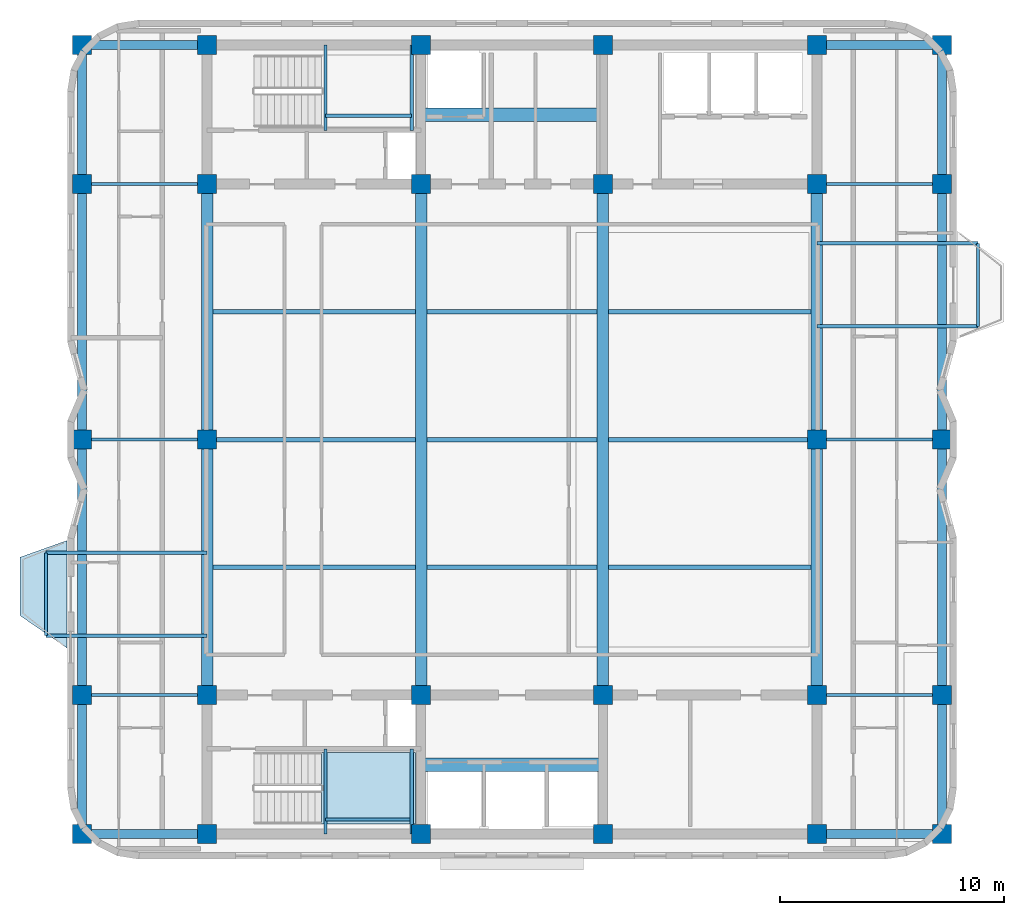
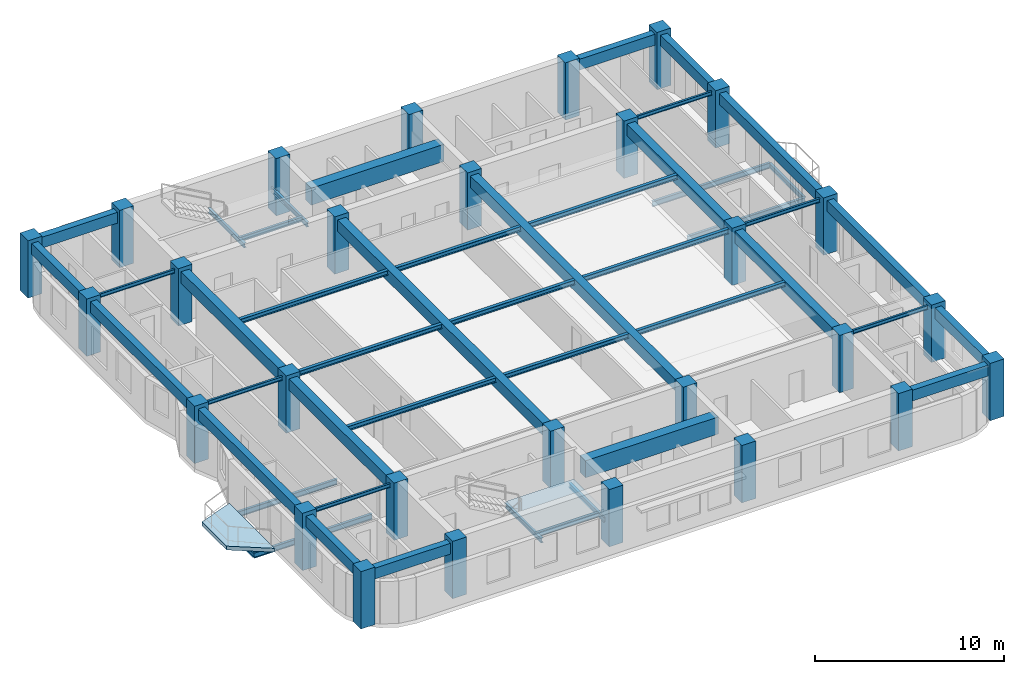
# One storey, part 1 of 8: 47 beams, 28 columns, 2 slabs, 1 element without a shape of its own.
"""IFC4 building model written with IfcOpenShell, lengths in metres."""

import ifcopenshell
import ifcopenshell.guid

model = None  # the IFC model being written
_history = None  # IfcOwnerHistory: only IFC2X3 demands one
_inside = {}  # id of a spatial element -> (the spatial element, [elements in it])
_under = {}  # id of a project, library or spatial element -> (it, [spatial elements below it])
_declared = {}  # id of a project -> (the project, [libraries it declares])
_typed = {}  # id of a type object -> (the type object, [elements of that type])
_made_of = {}  # id of a material, layer set ... -> (it, [elements and type objects made of it])


def new_model(schema):
    """Start an empty IFC model of exactly this schema.

    Asked for "IFC4X3", IfcOpenShell would pick the latest addendum, in which some entities
    have other attributes; the version numbers below select the first issue.
    IFC2X3 requires an IfcOwnerHistory on every rooted entity: one is made here for all.
    """
    global model, _history
    if schema == "IFC4X3":
        model = ifcopenshell.file(schema_version=(4, 3, 0, 0))
    else:
        model = ifcopenshell.file(schema=schema)
    _inside.clear()
    _under.clear()
    _declared.clear()
    _typed.clear()
    _made_of.clear()
    _history = None
    if model.schema == "IFC2X3":
        org = make("IfcOrganization", Name="unknown")
        user = make(
            "IfcPersonAndOrganization",
            ThePerson=make("IfcPerson", FamilyName="unknown"),
            TheOrganization=org,
        )
        app = make(
            "IfcApplication",
            ApplicationDeveloper=org,
            Version="unknown",
            ApplicationFullName="unknown",
            ApplicationIdentifier="unknown",
        )
        _history = make(
            "IfcOwnerHistory",
            OwningUser=user,
            OwningApplication=app,
            ChangeAction="ADDED",
            CreationDate=0,
        )
    return model


def make(cls, **values):
    """One entity of the class cls with the attributes given. An attribute that is None is left unset."""
    return model.create_entity(
        cls, **{name: value for name, value in values.items() if value is not None}
    )


def rooted(cls, **values):
    """An entity with a GlobalId (a new one), such as an element, a storey or a relation."""
    return make(cls, GlobalId=ifcopenshell.guid.new(), OwnerHistory=_history, **values)


def si_unit(unit_type, name, prefix=None):
    """IfcSIUnit, for example si_unit("LENGTHUNIT", "METRE", prefix="MILLI")."""
    return make("IfcSIUnit", UnitType=unit_type, Prefix=prefix, Name=name)


def assignment(units):
    """IfcUnitAssignment: the units of a project."""
    return None if units is None else make("IfcUnitAssignment", Units=units)


def point(xyz):
    """IfcCartesianPoint."""
    return None if xyz is None else make("IfcCartesianPoint", Coordinates=xyz)


def direction(xyz):
    """IfcDirection."""
    return None if xyz is None else make("IfcDirection", DirectionRatios=xyz)


def frame(location, z_axis=None, x_axis=None):
    """IfcAxis2Placement3D, a coordinate frame: its origin and axes. An axis left out is left unset."""
    return make(
        "IfcAxis2Placement3D",
        Location=point(location),
        Axis=direction(z_axis),
        RefDirection=direction(x_axis),
    )


def frame_2d(location, x_axis=None):
    """IfcAxis2Placement2D, a coordinate frame in the plane: its origin and x axis."""
    return make(
        "IfcAxis2Placement2D", Location=point(location), RefDirection=direction(x_axis)
    )


def origin():
    """The frame at (0, 0, 0) with its axes left unset."""
    return frame((0.0, 0.0, 0.0))


def origin_2d():
    """The frame at (0, 0) in the plane with its x axis left unset."""
    return frame_2d((0.0, 0.0))


def place(relative_to, where):
    """IfcLocalPlacement: puts the frame where relative to a parent placement (None: the world)."""
    return make(
        "IfcLocalPlacement", PlacementRelTo=relative_to, RelativePlacement=where
    )


def context(
    kind, dimensions, precision=None, world=None, true_north=None, identifier=None
):
    """IfcGeometricRepresentationContext, for example the 3D "Model" context."""
    return make(
        "IfcGeometricRepresentationContext",
        ContextIdentifier=identifier,
        ContextType=kind,
        CoordinateSpaceDimension=dimensions,
        Precision=precision,
        WorldCoordinateSystem=world,
        TrueNorth=true_north,
    )


def subcontext(parent, identifier, kind, view, scale=None):
    """IfcGeometricRepresentationSubContext, for example "Body" below "Model"."""
    return make(
        "IfcGeometricRepresentationSubContext",
        ContextIdentifier=identifier,
        ContextType=kind,
        ParentContext=parent,
        TargetScale=scale,
        TargetView=view,
    )


def project(units=None, contexts=None):
    """IfcProject with its units and contexts."""
    return rooted(
        "IfcProject",
        Name="project",
        RepresentationContexts=contexts,
        UnitsInContext=assignment(units),
    )


def spatial(cls, under=None, at=None, **own):
    """A site, building, storey or space (cls), placed at a placement, below another one or the project."""
    s = rooted(cls, ObjectPlacement=at, **own)
    if under is not None:
        _under.setdefault(under.id(), (under, []))[1].append(s)
    return s


def polyline(points):
    """IfcPolyline through the points."""
    return make("IfcPolyline", Points=[point(p) for p in points])


def profile(cls, at=None, kind="AREA", **sizes):
    """A parametric profile (cls). Its sizes go by their IFC names, for example OverallWidth=200.0."""
    return make(cls, ProfileType=kind, Position=at, **sizes)


def rectangle(**sizes):
    """IfcRectangleProfileDef."""
    return profile("IfcRectangleProfileDef", **sizes)


def i_section(**sizes):
    """IfcIShapeProfileDef."""
    return profile("IfcIShapeProfileDef", **sizes)


def outline(outer, holes=None, kind="AREA"):
    """IfcArbitraryClosedProfileDef: a profile drawn as a closed curve; with holes, ...WithVoids."""
    if holes is None:
        return make("IfcArbitraryClosedProfileDef", ProfileType=kind, OuterCurve=outer)
    return make(
        "IfcArbitraryProfileDefWithVoids",
        ProfileType=kind,
        OuterCurve=outer,
        InnerCurves=holes,
    )


def extrude(swept, where, along, depth):
    """IfcExtrudedAreaSolid: the profile swept, set in the frame where, extruded along a direction by depth."""
    return make(
        "IfcExtrudedAreaSolid",
        SweptArea=swept,
        Position=where,
        ExtrudedDirection=direction(along),
        Depth=depth,
    )


def shape(context_of_items, identifier, shape_type, items):
    """IfcShapeRepresentation: the items that make up one representation, for example the "Body"."""
    return make(
        "IfcShapeRepresentation",
        ContextOfItems=context_of_items,
        RepresentationIdentifier=identifier,
        RepresentationType=shape_type,
        Items=items,
    )


def material(Name=None, Category=None):
    """IfcMaterial."""
    return make("IfcMaterial", Name=Name, Category=Category)


def layer(
    of_material, thickness, ventilated=None, Name=None, Category=None, Priority=None
):
    """IfcMaterialLayer: one layer of a wall or slab, of a material (None: an air gap)."""
    return make(
        "IfcMaterialLayer",
        Material=of_material,
        LayerThickness=thickness,
        IsVentilated=ventilated,
        Name=Name,
        Category=Category,
        Priority=Priority,
    )


def layer_set(layers, Name=None):
    """IfcMaterialLayerSet."""
    return make("IfcMaterialLayerSet", MaterialLayers=layers, LayerSetName=Name)


def material_profile(
    of_material, cross_section, Name=None, Category=None, Priority=None
):
    """IfcMaterialProfile: a cross section and its material."""
    return make(
        "IfcMaterialProfile",
        Name=Name,
        Material=of_material,
        Profile=cross_section,
        Priority=Priority,
        Category=Category,
    )


def profile_set(profiles, Name=None, composite=None):
    """IfcMaterialProfileSet."""
    return make(
        "IfcMaterialProfileSet",
        Name=Name,
        MaterialProfiles=profiles,
        CompositeProfile=composite,
    )


def made_of(thing, what):
    """Note that an element or type object is made of a material, layer set ...; save() writes the relation."""
    if what is not None:
        _made_of.setdefault(what.id(), (what, []))[1].append(thing)
    return thing


def type_object(cls, material=None, **own):
    """A type object (cls), such as IfcWallType, which elements share."""
    return made_of(rooted(cls, **own), material)


def element(
    cls,
    number,
    at=None,
    inside=None,
    cuts=None,
    type_object=None,
    material=None,
    context=None,
    identifier="Body",
    shape_type=None,
    held_by="IfcProductDefinitionShape",
    body=None,
    shapes=None,
    **own,
):
    """One element of the class cls, such as IfcWall. Its Tag is "e" and its number.

    at: its placement. inside: the storey or other place that contains it. cuts: it is an
    opening in that element (IfcRelVoidsElement). A single representation is given by context,
    identifier, shape_type and body (its items); several are given by shapes. held_by: the class
    of the entity that holds the representations. save() writes the other relations.
    """
    e = rooted(cls, Tag="e%d" % number, ObjectPlacement=at, **own)
    if body is not None:
        shapes = [shape(context, identifier, shape_type, body)]
    if shapes is not None:
        e.Representation = make(held_by, Representations=shapes)
    if inside is not None:
        _inside.setdefault(inside.id(), (inside, []))[1].append(e)
    if cuts is not None:
        rooted(
            "IfcRelVoidsElement", RelatingBuildingElement=cuts, RelatedOpeningElement=e
        )
    if type_object is not None:
        _typed.setdefault(type_object.id(), (type_object, []))[1].append(e)
    return made_of(e, material)


def aggregate(whole, parts):
    """IfcRelAggregates: a whole, such as a stair, and the parts it consists of."""
    return rooted("IfcRelAggregates", RelatingObject=whole, RelatedObjects=parts)


def save(model, path):
    """Write the relations noted so far, then the file.

    IfcRelAggregates (storeys below a building ...), IfcRelContainedInSpatialStructure (elements
    in a storey), IfcRelDefinesByType, IfcRelAssociatesMaterial and IfcRelDeclares: one each for
    every whole, place, type object, material and project.
    """
    for whole, parts in _under.values():
        aggregate(whole, parts)
    for where, things in _inside.values():
        rooted(
            "IfcRelContainedInSpatialStructure",
            RelatedElements=things,
            RelatingStructure=where,
        )
    for kind, things in _typed.values():
        rooted("IfcRelDefinesByType", RelatedObjects=things, RelatingType=kind)
    for what, things in _made_of.values():
        rooted("IfcRelAssociatesMaterial", RelatedObjects=things, RelatingMaterial=what)
    for by, libraries in _declared.values():
        rooted("IfcRelDeclares", RelatingContext=by, RelatedDefinitions=libraries)
    model.write(path)


model = new_model("IFC4")

# Units and contexts
model_context = context("Model", 3, precision=1e-05, world=origin(), true_north=direction((0.0, 1.0)))
body_context = subcontext(model_context, "Body", "Model", "MODEL_VIEW")
ifc_project = project(units=[si_unit("LENGTHUNIT", "METRE"), si_unit("AREAUNIT", "SQUARE_METRE"), si_unit("VOLUMEUNIT", "CUBIC_METRE"), si_unit("PLANEANGLEUNIT", "RADIAN"), si_unit("MASSUNIT", "GRAM", prefix="KILO")], contexts=[model_context])

# Site, building, storey
site_placement = place(None, origin())
site = spatial("IfcSite", under=ifc_project, at=site_placement, CompositionType="ELEMENT")
building_placement = place(site_placement, origin())
building = spatial("IfcBuilding", under=site, at=building_placement, Name="Svetorya Sky Lyceum", CompositionType="ELEMENT")
storey_placement = place(building_placement, frame((0.0, 0.0, 248.0)))
storey = spatial("IfcBuildingStorey", under=building, at=storey_placement, Name="L62", CompositionType="ELEMENT", Elevation=248.0)

# Columns
ifc_material_1 = material(Name="Concrete C50/60", Category="concrete")
ifc_material_profile_1 = material_profile(ifc_material_1, rectangle(XDim=0.85009765625, YDim=0.85009765625, at=origin_2d()), Name="RC COL 850x850")
ifc_profile_set_1 = profile_set([ifc_material_profile_1], Name="Concrete C50/60")
column_type = type_object("IfcColumnType", Name="COL-RC-850", PredefinedType="COLUMN", material=ifc_profile_set_1)
for number, where, z_axis, x_axis, name in (
    (1, (25.60009765625, 10.60009765625, 0.0), (0.0, 0.0, 1.0), (1.0, 0.0, 0.0), "L62 Core Column CS-11"),
    (2, (25.60009765625, 16.800048828125, 0.0), (0.0, 0.0, 1.0), (1.0, 0.0, 0.0), "L62 Core Column CS-12"),
    (3, (35.14990234375, 10.60009765625, 0.0), (0.0, 0.0, 1.0), (1.0, 0.0, 0.0), "L62 Core Column CS-21"),
    (4, (35.14990234375, 16.800048828125, 0.0), (0.0, 0.0, 1.0), (1.0, 0.0, 0.0), "L62 Core Column CS-22"),
    (5, (43.25, 10.60009765625, 0.0), (0.0, 0.0, 1.0), (1.0, 0.0, 0.0), "L62 Core Column CS-31"),
    (6, (43.25, 16.800048828125, 0.0), (0.0, 0.0, 1.0), (1.0, 0.0, 0.0), "L62 Core Column CS-32"),
    (7, (52.800048828125, 10.60009765625, 0.0), (0.0, 0.0, 1.0), (1.0, 0.0, 0.0), "L62 Core Column CS-41"),
    (8, (52.800048828125, 16.800048828125, 0.0), (0.0, 0.0, 1.0), (1.0, 0.0, 0.0), "L62 Core Column CS-42"),
    (9, (25.60009765625, 39.60009765625, 0.0), (0.0, 0.0, 1.0), (1.0, 0.0, 0.0), "L62 Core Column CN-11"),
    (10, (25.60009765625, 45.800048828125, 0.0), (0.0, 0.0, 1.0), (1.0, 0.0, 0.0), "L62 Core Column CN-12"),
    (11, (35.14990234375, 39.60009765625, 0.0), (0.0, 0.0, 1.0), (1.0, 0.0, 0.0), "L62 Core Column CN-21"),
    (12, (35.14990234375, 45.800048828125, 0.0), (0.0, 0.0, 1.0), (1.0, 0.0, 0.0), "L62 Core Column CN-22"),
    (13, (43.25, 39.60009765625, 0.0), (0.0, 0.0, 1.0), (1.0, 0.0, 0.0), "L62 Core Column CN-31"),
    (14, (43.25, 45.800048828125, 0.0), (0.0, 0.0, 1.0), (1.0, 0.0, 0.0), "L62 Core Column CN-32"),
    (15, (52.800048828125, 39.60009765625, 0.0), (0.0, 0.0, 1.0), (1.0, 0.0, 0.0), "L62 Core Column CN-41"),
    (16, (52.800048828125, 45.800048828125, 0.0), (0.0, 0.0, 1.0), (1.0, 0.0, 0.0), "L62 Core Column CN-42"),
    (17, (25.60009765625, 28.199951171875, 0.0), (0.0, 0.0, 1.0), (1.0, 0.0, 0.0), "L62 Core Column CM-W"),
    (18, (52.800048828125, 28.199951171875, 0.0), (0.0, 0.0, 1.0), (1.0, 0.0, 0.0), "L62 Core Column CM-E"),
    (19, (20.010009765625, 10.60009765625, 0.0), (0.0, 0.0, 1.0), (1.0, 0.0, 0.0), "L62 Perimeter Column W1"),
    (20, (58.389892578125, 10.60009765625, 0.0), (0.0, 0.0, 1.0), (1.0, 0.0, 0.0), "L62 Perimeter Column E1"),
    (21, (20.010009765625, 16.800048828125, 0.0), (0.0, 0.0, 1.0), (1.0, 0.0, 0.0), "L62 Perimeter Column W2"),
    (22, (58.389892578125, 16.800048828125, 0.0), (0.0, 0.0, 1.0), (1.0, 0.0, 0.0), "L62 Perimeter Column E2"),
    (23, (20.010009765625, 28.199951171875, 0.0), (0.0, 0.0, 1.0), (1.0, 0.0, 0.0), "L62 Perimeter Column W3"),
    (24, (58.389892578125, 28.199951171875, 0.0), (0.0, 0.0, 1.0), (1.0, 0.0, 0.0), "L62 Perimeter Column E3"),
    (25, (20.010009765625, 39.60009765625, 0.0), (0.0, 0.0, 1.0), (1.0, 0.0, 0.0), "L62 Perimeter Column W4"),
    (26, (58.389892578125, 39.60009765625, 0.0), (0.0, 0.0, 1.0), (1.0, 0.0, 0.0), "L62 Perimeter Column E4"),
    (27, (20.010009765625, 45.800048828125, 0.0), (0.0, 0.0, 1.0), (1.0, 0.0, 0.0), "L62 Perimeter Column W5"),
    (28, (58.389892578125, 45.800048828125, 0.0), (0.0, 0.0, 1.0), (1.0, 0.0, 0.0), "L62 Perimeter Column E5"),
):
    element("IfcColumn", number, at=place(storey_placement, frame(where, z_axis=z_axis, x_axis=x_axis)), inside=storey, type_object=column_type, Name=name, PredefinedType="COLUMN", context=body_context, shape_type="SweptSolid", body=[
        extrude(rectangle(XDim=0.85009765625, YDim=0.85009765625, at=origin_2d()), origin(), (0.0, 0.0, 1.0), 3.699951171875),
    ])

# Beams
ifc_material_2 = material(Name="Concrete C60/75", Category="concrete")
ifc_material_profile_2 = material_profile(ifc_material_2, rectangle(XDim=0.60009765625, YDim=1.10009765625, at=origin_2d()), Name="RC COUPLING 600x1100")
ifc_profile_set_2 = profile_set([ifc_material_profile_2], Name="Concrete C60/75")
beam_type_1 = type_object("IfcBeamType", Name="BM-CPL-1100", PredefinedType="LINTEL", material=ifc_profile_set_2)
for number, where, z_axis, x_axis, name in (
    (29, (35.14990234375, 13.699951171875, 2.89990234375), (1.0, 0.0, 0.0), (0.0, 1.0, 0.0), "L62 SC Core Coupling Beam"),
    (30, (35.14990234375, 42.699951171875, 2.89990234375), (1.0, 0.0, 0.0), (0.0, 1.0, 0.0), "L62 NC Core Coupling Beam"),
):
    element("IfcBeam", number, at=place(storey_placement, frame(where, z_axis=z_axis, x_axis=x_axis)), inside=storey, type_object=beam_type_1, Name=name, PredefinedType="LINTEL", context=body_context, shape_type="SweptSolid", body=[
        extrude(rectangle(XDim=0.60009765625, YDim=1.10009765625, at=origin_2d()), origin(), (0.0, 0.0, 1.0), 8.10009765625),
    ])
ifc_material_profile_3 = material_profile(ifc_material_1, rectangle(XDim=0.5, YDim=0.75, at=origin_2d()), Name="RC BEAM 500x750")
ifc_profile_set_3 = profile_set([ifc_material_profile_3], Name="Concrete C50/60")
beam_type_2 = type_object("IfcBeamType", Name="BM-RC-750", PredefinedType="BEAM", material=ifc_profile_set_3)
beam_1_placement = place(storey_placement, frame((25.60009765625, 16.800048828125, 3.074951171875), z_axis=(0.0, 1.0, 0.0), x_axis=(-1.0, 0.0, 0.0)))
element("IfcBeam", 31, at=beam_1_placement, inside=storey, type_object=beam_type_2, Name="L62 Central Bay Primary Girder CG-1A", PredefinedType="BEAM", context=body_context, shape_type="SweptSolid", body=[
    extrude(rectangle(XDim=0.5, YDim=0.75, at=origin_2d()), origin(), (0.0, 0.0, 1.0), 11.39990234375),
])
beam_2_placement = place(storey_placement, frame((25.60009765625, 28.199951171875, 3.074951171875), z_axis=(0.0, 1.0, 0.0), x_axis=(-1.0, 0.0, 0.0)))
element("IfcBeam", 32, at=beam_2_placement, inside=storey, type_object=beam_type_2, Name="L62 Central Bay Primary Girder CG-1B", PredefinedType="BEAM", context=body_context, shape_type="SweptSolid", body=[
    extrude(rectangle(XDim=0.5, YDim=0.75, at=origin_2d()), origin(), (0.0, 0.0, 1.0), 11.400146484375),
])
for number, where, z_axis, x_axis, name in (
    (33, (35.14990234375, 16.800048828125, 3.074951171875), (0.0, 1.0, 0.0), (-1.0, 0.0, 0.0), "L62 Central Bay Primary Girder CG-2"),
    (34, (43.25, 16.800048828125, 3.074951171875), (0.0, 1.0, 0.0), (-1.0, 0.0, 0.0), "L62 Central Bay Primary Girder CG-3"),
):
    element("IfcBeam", number, at=place(storey_placement, frame(where, z_axis=z_axis, x_axis=x_axis)), inside=storey, type_object=beam_type_2, Name=name, PredefinedType="BEAM", context=body_context, shape_type="SweptSolid", body=[
        extrude(rectangle(XDim=0.5, YDim=0.75, at=origin_2d()), origin(), (0.0, 0.0, 1.0), 22.800048828125),
    ])
beam_3_placement = place(storey_placement, frame((52.800048828125, 16.800048828125, 3.074951171875), z_axis=(0.0, 1.0, 0.0), x_axis=(-1.0, 0.0, 0.0)))
element("IfcBeam", 35, at=beam_3_placement, inside=storey, type_object=beam_type_2, Name="L62 Central Bay Primary Girder CG-4A", PredefinedType="BEAM", context=body_context, shape_type="SweptSolid", body=[
    extrude(rectangle(XDim=0.5, YDim=0.75, at=origin_2d()), origin(), (0.0, 0.0, 1.0), 11.39990234375),
])
beam_4_placement = place(storey_placement, frame((52.800048828125, 28.199951171875, 3.074951171875), z_axis=(0.0, 1.0, 0.0), x_axis=(-1.0, 0.0, 0.0)))
element("IfcBeam", 36, at=beam_4_placement, inside=storey, type_object=beam_type_2, Name="L62 Central Bay Primary Girder CG-4B", PredefinedType="BEAM", context=body_context, shape_type="SweptSolid", body=[
    extrude(rectangle(XDim=0.5, YDim=0.75, at=origin_2d()), origin(), (0.0, 0.0, 1.0), 11.400146484375),
])
ifc_material_profile_4 = material_profile(ifc_material_1, rectangle(XDim=0.39990234375, YDim=0.699951171875, at=origin_2d()), Name="RC SPANDREL 400x700")
ifc_profile_set_4 = profile_set([ifc_material_profile_4], Name="Concrete C50/60")
beam_type_3 = type_object("IfcBeamType", Name="BM-SPN-700", PredefinedType="SPANDREL", material=ifc_profile_set_4)
for number, where, z_axis, x_axis, name in (
    (37, (20.010009765625, 10.60009765625, 3.10009765625), (1.0, 0.0, 0.0), (0.0, 1.0, 0.0), "L62 Tie Spandrel SW"),
    (38, (20.010009765625, 45.800048828125, 3.10009765625), (1.0, 0.0, 0.0), (0.0, 1.0, 0.0), "L62 Tie Spandrel NW"),
):
    element("IfcBeam", number, at=place(storey_placement, frame(where, z_axis=z_axis, x_axis=x_axis)), inside=storey, type_object=beam_type_3, Name=name, PredefinedType="SPANDREL", context=body_context, shape_type="SweptSolid", body=[
        extrude(rectangle(XDim=0.39990234375, YDim=0.699951171875, at=origin_2d()), origin(), (0.0, 0.0, 1.0), 5.590087890625),
    ])
for number, where, z_axis, x_axis, name in (
    (39, (52.800048828125, 10.60009765625, 3.10009765625), (1.0, 0.0, 0.0), (0.0, 1.0, 0.0), "L62 Tie Spandrel SE"),
    (40, (52.800048828125, 45.800048828125, 3.10009765625), (1.0, 0.0, 0.0), (0.0, 1.0, 0.0), "L62 Tie Spandrel NE"),
):
    element("IfcBeam", number, at=place(storey_placement, frame(where, z_axis=z_axis, x_axis=x_axis)), inside=storey, type_object=beam_type_3, Name=name, PredefinedType="SPANDREL", context=body_context, shape_type="SweptSolid", body=[
        extrude(rectangle(XDim=0.39990234375, YDim=0.699951171875, at=origin_2d()), origin(), (0.0, 0.0, 1.0), 5.58984375),
    ])
beam_5_placement = place(storey_placement, frame((20.010009765625, 10.60009765625, 3.10009765625), z_axis=(0.0, 1.0, 0.0), x_axis=(-1.0, 0.0, 0.0)))
element("IfcBeam", 41, at=beam_5_placement, inside=storey, type_object=beam_type_3, Name="L62 West Spandrel 1", PredefinedType="SPANDREL", context=body_context, shape_type="SweptSolid", body=[
    extrude(rectangle(XDim=0.39990234375, YDim=0.699951171875, at=origin_2d()), origin(), (0.0, 0.0, 1.0), 6.199951171875),
])
beam_6_placement = place(storey_placement, frame((20.010009765625, 16.800048828125, 3.10009765625), z_axis=(0.0, 1.0, 0.0), x_axis=(-1.0, 0.0, 0.0)))
element("IfcBeam", 42, at=beam_6_placement, inside=storey, type_object=beam_type_3, Name="L62 West Spandrel 2", PredefinedType="SPANDREL", context=body_context, shape_type="SweptSolid", body=[
    extrude(rectangle(XDim=0.39990234375, YDim=0.699951171875, at=origin_2d()), origin(), (0.0, 0.0, 1.0), 11.39990234375),
])
beam_7_placement = place(storey_placement, frame((20.010009765625, 28.199951171875, 3.10009765625), z_axis=(0.0, 1.0, 0.0), x_axis=(-1.0, 0.0, 0.0)))
element("IfcBeam", 43, at=beam_7_placement, inside=storey, type_object=beam_type_3, Name="L62 West Spandrel 3", PredefinedType="SPANDREL", context=body_context, shape_type="SweptSolid", body=[
    extrude(rectangle(XDim=0.39990234375, YDim=0.699951171875, at=origin_2d()), origin(), (0.0, 0.0, 1.0), 11.400146484375),
])
for number, where, z_axis, x_axis, name in (
    (44, (20.010009765625, 39.60009765625, 3.10009765625), (0.0, 1.0, 0.0), (-1.0, 0.0, 0.0), "L62 West Spandrel 4"),
    (45, (58.389892578125, 10.60009765625, 3.10009765625), (0.0, 1.0, 0.0), (-1.0, 0.0, 0.0), "L62 East Spandrel 1"),
):
    element("IfcBeam", number, at=place(storey_placement, frame(where, z_axis=z_axis, x_axis=x_axis)), inside=storey, type_object=beam_type_3, Name=name, PredefinedType="SPANDREL", context=body_context, shape_type="SweptSolid", body=[
        extrude(rectangle(XDim=0.39990234375, YDim=0.699951171875, at=origin_2d()), origin(), (0.0, 0.0, 1.0), 6.199951171875),
    ])
beam_8_placement = place(storey_placement, frame((58.389892578125, 16.800048828125, 3.10009765625), z_axis=(0.0, 1.0, 0.0), x_axis=(-1.0, 0.0, 0.0)))
element("IfcBeam", 46, at=beam_8_placement, inside=storey, type_object=beam_type_3, Name="L62 East Spandrel 2", PredefinedType="SPANDREL", context=body_context, shape_type="SweptSolid", body=[
    extrude(rectangle(XDim=0.39990234375, YDim=0.699951171875, at=origin_2d()), origin(), (0.0, 0.0, 1.0), 11.39990234375),
])
beam_9_placement = place(storey_placement, frame((58.389892578125, 28.199951171875, 3.10009765625), z_axis=(0.0, 1.0, 0.0), x_axis=(-1.0, 0.0, 0.0)))
element("IfcBeam", 47, at=beam_9_placement, inside=storey, type_object=beam_type_3, Name="L62 East Spandrel 3", PredefinedType="SPANDREL", context=body_context, shape_type="SweptSolid", body=[
    extrude(rectangle(XDim=0.39990234375, YDim=0.699951171875, at=origin_2d()), origin(), (0.0, 0.0, 1.0), 11.400146484375),
])
beam_10_placement = place(storey_placement, frame((58.389892578125, 39.60009765625, 3.10009765625), z_axis=(0.0, 1.0, 0.0), x_axis=(-1.0, 0.0, 0.0)))
element("IfcBeam", 48, at=beam_10_placement, inside=storey, type_object=beam_type_3, Name="L62 East Spandrel 4", PredefinedType="SPANDREL", context=body_context, shape_type="SweptSolid", body=[
    extrude(rectangle(XDim=0.39990234375, YDim=0.699951171875, at=origin_2d()), origin(), (0.0, 0.0, 1.0), 6.199951171875),
])
ifc_material_3 = material(Name="Steel S355", Category="steel")
ifc_material_profile_5 = material_profile(ifc_material_3, i_section(OverallWidth=0.1240234375, OverallDepth=0.248046875, WebThickness=0.006103515625, FlangeThickness=0.009521484375, at=origin_2d()), Name="GOST 25B2")
ifc_profile_set_5 = profile_set([ifc_material_profile_5], Name="Steel S355")
beam_type_4 = type_object("IfcBeamType", Name="BM-STL-25B2", PredefinedType="JOIST", material=ifc_profile_set_5)
beam_11_placement = place(storey_placement, frame((20.010009765625, 16.800048828125, 3.325927734375), z_axis=(1.0, 0.0, 0.0), x_axis=(0.0, 1.0, 0.0)))
element("IfcBeam", 49, at=beam_11_placement, inside=storey, type_object=beam_type_4, Name="L62 West Wing Floor Joist W2", PredefinedType="JOIST", context=body_context, shape_type="SweptSolid", body=[
    extrude(i_section(OverallWidth=0.1240234375, OverallDepth=0.248046875, WebThickness=0.006103515625, FlangeThickness=0.009521484375, at=origin_2d()), origin(), (0.0, 0.0, 1.0), 5.590087890625),
])
beam_12_placement = place(storey_placement, frame((52.800048828125, 16.800048828125, 3.325927734375), z_axis=(1.0, 0.0, 0.0), x_axis=(0.0, 1.0, 0.0)))
element("IfcBeam", 50, at=beam_12_placement, inside=storey, type_object=beam_type_4, Name="L62 East Wing Floor Joist E2", PredefinedType="JOIST", context=body_context, shape_type="SweptSolid", body=[
    extrude(i_section(OverallWidth=0.1240234375, OverallDepth=0.248046875, WebThickness=0.006103515625, FlangeThickness=0.009521484375, at=origin_2d()), origin(), (0.0, 0.0, 1.0), 5.58984375),
])
beam_13_placement = place(storey_placement, frame((20.010009765625, 28.199951171875, 3.325927734375), z_axis=(1.0, 0.0, 0.0), x_axis=(0.0, 1.0, 0.0)))
element("IfcBeam", 51, at=beam_13_placement, inside=storey, type_object=beam_type_4, Name="L62 West Wing Floor Joist W3", PredefinedType="JOIST", context=body_context, shape_type="SweptSolid", body=[
    extrude(i_section(OverallWidth=0.1240234375, OverallDepth=0.248046875, WebThickness=0.006103515625, FlangeThickness=0.009521484375, at=origin_2d()), origin(), (0.0, 0.0, 1.0), 5.590087890625),
])
beam_14_placement = place(storey_placement, frame((52.800048828125, 28.199951171875, 3.325927734375), z_axis=(1.0, 0.0, 0.0), x_axis=(0.0, 1.0, 0.0)))
element("IfcBeam", 52, at=beam_14_placement, inside=storey, type_object=beam_type_4, Name="L62 East Wing Floor Joist E3", PredefinedType="JOIST", context=body_context, shape_type="SweptSolid", body=[
    extrude(i_section(OverallWidth=0.1240234375, OverallDepth=0.248046875, WebThickness=0.006103515625, FlangeThickness=0.009521484375, at=origin_2d()), origin(), (0.0, 0.0, 1.0), 5.58984375),
])
beam_15_placement = place(storey_placement, frame((20.010009765625, 39.60009765625, 3.325927734375), z_axis=(1.0, 0.0, 0.0), x_axis=(0.0, 1.0, 0.0)))
element("IfcBeam", 53, at=beam_15_placement, inside=storey, type_object=beam_type_4, Name="L62 West Wing Floor Joist W4", PredefinedType="JOIST", context=body_context, shape_type="SweptSolid", body=[
    extrude(i_section(OverallWidth=0.1240234375, OverallDepth=0.248046875, WebThickness=0.006103515625, FlangeThickness=0.009521484375, at=origin_2d()), origin(), (0.0, 0.0, 1.0), 5.590087890625),
])
beam_16_placement = place(storey_placement, frame((52.800048828125, 39.60009765625, 3.325927734375), z_axis=(1.0, 0.0, 0.0), x_axis=(0.0, 1.0, 0.0)))
element("IfcBeam", 54, at=beam_16_placement, inside=storey, type_object=beam_type_4, Name="L62 East Wing Floor Joist E4", PredefinedType="JOIST", context=body_context, shape_type="SweptSolid", body=[
    extrude(i_section(OverallWidth=0.1240234375, OverallDepth=0.248046875, WebThickness=0.006103515625, FlangeThickness=0.009521484375, at=origin_2d()), origin(), (0.0, 0.0, 1.0), 5.58984375),
])
ifc_material_profile_6 = material_profile(ifc_material_3, i_section(OverallWidth=0.14990234375, OverallDepth=0.299072265625, WebThickness=0.006591796875, FlangeThickness=0.010498046875, at=origin_2d()), Name="GOST 30B2")
ifc_profile_set_6 = profile_set([ifc_material_profile_6], Name="Steel S355")
beam_type_5 = type_object("IfcBeamType", Name="BM-STL-30B2", PredefinedType="JOIST", material=ifc_profile_set_6)
for number, where, z_axis, x_axis, name in (
    (55, (18.409912109375, 19.449951171875, -0.424560546875), (0.0, 1.0, 0.0), (-1.0, 0.0, 0.0), "L62 Balcony Edge Tie BAL-W1"),
    (56, (59.989990234375, 33.25, -0.424560546875), (0.0, 1.0, 0.0), (-1.0, 0.0, 0.0), "L62 Balcony Edge Tie BAL-E1"),
):
    element("IfcBeam", number, at=place(storey_placement, frame(where, z_axis=z_axis, x_axis=x_axis)), inside=storey, type_object=beam_type_5, Name=name, PredefinedType="JOIST", context=body_context, shape_type="SweptSolid", body=[
        extrude(i_section(OverallWidth=0.14990234375, OverallDepth=0.299072265625, WebThickness=0.006591796875, FlangeThickness=0.010498046875, at=origin_2d()), origin(), (0.0, 0.0, 1.0), 3.699951171875),
    ])
for number, where, z_axis, x_axis, name in (
    (57, (30.8798828125, 10.60009765625, 1.50048828125), (0.0, 1.0, 0.0), (-1.0, 0.0, 0.0), "L62 Stair ST-S Half-Landing Support Beam 70.1"),
    (58, (34.719970703125, 10.60009765625, 1.50048828125), (0.0, 1.0, 0.0), (-1.0, 0.0, 0.0), "L62 Stair ST-S Half-Landing Support Beam 70.2"),
):
    element("IfcBeam", number, at=place(storey_placement, frame(where, z_axis=z_axis, x_axis=x_axis)), inside=storey, type_object=beam_type_5, Name=name, PredefinedType="JOIST", context=body_context, shape_type="SweptSolid", body=[
        extrude(i_section(OverallWidth=0.14990234375, OverallDepth=0.299072265625, WebThickness=0.006591796875, FlangeThickness=0.010498046875, at=origin_2d()), origin(), (0.0, 0.0, 1.0), 3.7998046875),
    ])
beam_17_placement = place(storey_placement, frame((30.8798828125, 11.25, 1.50048828125), z_axis=(1.0, 0.0, 0.0), x_axis=(0.0, 1.0, 0.0)))
element("IfcBeam", 59, at=beam_17_placement, inside=storey, type_object=beam_type_5, Name="L62 Stair ST-S Half-Landing Cross Tie 70", PredefinedType="JOIST", context=body_context, shape_type="SweptSolid", body=[
    extrude(i_section(OverallWidth=0.14990234375, OverallDepth=0.299072265625, WebThickness=0.006591796875, FlangeThickness=0.010498046875, at=origin_2d()), origin(), (0.0, 0.0, 1.0), 3.840087890625),
])
for number, where, z_axis, x_axis, name in (
    (60, (30.8798828125, 42.0, 1.50048828125), (0.0, 1.0, 0.0), (-1.0, 0.0, 0.0), "L62 Stair ST-N Half-Landing Support Beam 70.1"),
    (61, (34.719970703125, 42.0, 1.50048828125), (0.0, 1.0, 0.0), (-1.0, 0.0, 0.0), "L62 Stair ST-N Half-Landing Support Beam 70.2"),
):
    element("IfcBeam", number, at=place(storey_placement, frame(where, z_axis=z_axis, x_axis=x_axis)), inside=storey, type_object=beam_type_5, Name=name, PredefinedType="JOIST", context=body_context, shape_type="SweptSolid", body=[
        extrude(i_section(OverallWidth=0.14990234375, OverallDepth=0.299072265625, WebThickness=0.006591796875, FlangeThickness=0.010498046875, at=origin_2d()), origin(), (0.0, 0.0, 1.0), 3.800048828125),
    ])
beam_18_placement = place(storey_placement, frame((30.8798828125, 42.64990234375, 1.50048828125), z_axis=(1.0, 0.0, 0.0), x_axis=(0.0, 1.0, 0.0)))
element("IfcBeam", 62, at=beam_18_placement, inside=storey, type_object=beam_type_5, Name="L62 Stair ST-N Half-Landing Cross Tie 70", PredefinedType="JOIST", context=body_context, shape_type="SweptSolid", body=[
    extrude(i_section(OverallWidth=0.14990234375, OverallDepth=0.299072265625, WebThickness=0.006591796875, FlangeThickness=0.010498046875, at=origin_2d()), origin(), (0.0, 0.0, 1.0), 3.840087890625),
])
ifc_material_profile_7 = material_profile(ifc_material_3, i_section(OverallWidth=0.199951171875, OverallDepth=0.298095703125, WebThickness=0.008544921875, FlangeThickness=0.012939453125, at=origin_2d()), Name="GOST 30Sh2")
ifc_profile_set_7 = profile_set([ifc_material_profile_7], Name="Steel S355")
beam_type_6 = type_object("IfcBeamType", Name="BM-STL-30SH2", PredefinedType="BEAM", material=ifc_profile_set_7)
beam_19_placement = place(storey_placement, frame((25.85009765625, 22.5, 3.301025390625), z_axis=(1.0, 0.0, 0.0), x_axis=(0.0, 1.0, 0.0)))
element("IfcBeam", 63, at=beam_19_placement, inside=storey, type_object=beam_type_6, Name="L62 Central Floor Joist CJ-1.1", PredefinedType="BEAM", context=body_context, shape_type="SweptSolid", body=[
    extrude(i_section(OverallWidth=0.199951171875, OverallDepth=0.298095703125, WebThickness=0.008544921875, FlangeThickness=0.012939453125, at=origin_2d()), origin(), (0.0, 0.0, 1.0), 9.0498046875),
])
beam_20_placement = place(storey_placement, frame((35.39990234375, 22.5, 3.301025390625), z_axis=(1.0, 0.0, 0.0), x_axis=(0.0, 1.0, 0.0)))
element("IfcBeam", 64, at=beam_20_placement, inside=storey, type_object=beam_type_6, Name="L62 Central Floor Joist CJ-1.2", PredefinedType="BEAM", context=body_context, shape_type="SweptSolid", body=[
    extrude(i_section(OverallWidth=0.199951171875, OverallDepth=0.298095703125, WebThickness=0.008544921875, FlangeThickness=0.012939453125, at=origin_2d()), origin(), (0.0, 0.0, 1.0), 7.60009765625),
])
beam_21_placement = place(storey_placement, frame((43.5, 22.5, 3.301025390625), z_axis=(1.0, 0.0, 0.0), x_axis=(0.0, 1.0, 0.0)))
element("IfcBeam", 65, at=beam_21_placement, inside=storey, type_object=beam_type_6, Name="L62 Central Floor Joist CJ-1.3", PredefinedType="BEAM", context=body_context, shape_type="SweptSolid", body=[
    extrude(i_section(OverallWidth=0.199951171875, OverallDepth=0.298095703125, WebThickness=0.008544921875, FlangeThickness=0.012939453125, at=origin_2d()), origin(), (0.0, 0.0, 1.0), 9.050048828125),
])
beam_22_placement = place(storey_placement, frame((25.85009765625, 28.199951171875, 3.301025390625), z_axis=(1.0, 0.0, 0.0), x_axis=(0.0, 1.0, 0.0)))
element("IfcBeam", 66, at=beam_22_placement, inside=storey, type_object=beam_type_6, Name="L62 Central Floor Joist CJ-2.1", PredefinedType="BEAM", context=body_context, shape_type="SweptSolid", body=[
    extrude(i_section(OverallWidth=0.199951171875, OverallDepth=0.298095703125, WebThickness=0.008544921875, FlangeThickness=0.012939453125, at=origin_2d()), origin(), (0.0, 0.0, 1.0), 9.0498046875),
])
beam_23_placement = place(storey_placement, frame((35.39990234375, 28.199951171875, 3.301025390625), z_axis=(1.0, 0.0, 0.0), x_axis=(0.0, 1.0, 0.0)))
element("IfcBeam", 67, at=beam_23_placement, inside=storey, type_object=beam_type_6, Name="L62 Central Floor Joist CJ-2.2", PredefinedType="BEAM", context=body_context, shape_type="SweptSolid", body=[
    extrude(i_section(OverallWidth=0.199951171875, OverallDepth=0.298095703125, WebThickness=0.008544921875, FlangeThickness=0.012939453125, at=origin_2d()), origin(), (0.0, 0.0, 1.0), 7.60009765625),
])
beam_24_placement = place(storey_placement, frame((43.5, 28.199951171875, 3.301025390625), z_axis=(1.0, 0.0, 0.0), x_axis=(0.0, 1.0, 0.0)))
element("IfcBeam", 68, at=beam_24_placement, inside=storey, type_object=beam_type_6, Name="L62 Central Floor Joist CJ-2.3", PredefinedType="BEAM", context=body_context, shape_type="SweptSolid", body=[
    extrude(i_section(OverallWidth=0.199951171875, OverallDepth=0.298095703125, WebThickness=0.008544921875, FlangeThickness=0.012939453125, at=origin_2d()), origin(), (0.0, 0.0, 1.0), 9.050048828125),
])
beam_25_placement = place(storey_placement, frame((25.85009765625, 33.89990234375, 3.301025390625), z_axis=(1.0, 0.0, 0.0), x_axis=(0.0, 1.0, 0.0)))
element("IfcBeam", 69, at=beam_25_placement, inside=storey, type_object=beam_type_6, Name="L62 Central Floor Joist CJ-3.1", PredefinedType="BEAM", context=body_context, shape_type="SweptSolid", body=[
    extrude(i_section(OverallWidth=0.199951171875, OverallDepth=0.298095703125, WebThickness=0.008544921875, FlangeThickness=0.012939453125, at=origin_2d()), origin(), (0.0, 0.0, 1.0), 9.0498046875),
])
beam_26_placement = place(storey_placement, frame((35.39990234375, 33.89990234375, 3.301025390625), z_axis=(1.0, 0.0, 0.0), x_axis=(0.0, 1.0, 0.0)))
element("IfcBeam", 70, at=beam_26_placement, inside=storey, type_object=beam_type_6, Name="L62 Central Floor Joist CJ-3.2", PredefinedType="BEAM", context=body_context, shape_type="SweptSolid", body=[
    extrude(i_section(OverallWidth=0.199951171875, OverallDepth=0.298095703125, WebThickness=0.008544921875, FlangeThickness=0.012939453125, at=origin_2d()), origin(), (0.0, 0.0, 1.0), 7.60009765625),
])
beam_27_placement = place(storey_placement, frame((43.5, 33.89990234375, 3.301025390625), z_axis=(1.0, 0.0, 0.0), x_axis=(0.0, 1.0, 0.0)))
element("IfcBeam", 71, at=beam_27_placement, inside=storey, type_object=beam_type_6, Name="L62 Central Floor Joist CJ-3.3", PredefinedType="BEAM", context=body_context, shape_type="SweptSolid", body=[
    extrude(i_section(OverallWidth=0.199951171875, OverallDepth=0.298095703125, WebThickness=0.008544921875, FlangeThickness=0.012939453125, at=origin_2d()), origin(), (0.0, 0.0, 1.0), 9.050048828125),
])
ifc_material_profile_8 = material_profile(ifc_material_3, i_section(OverallWidth=0.155029296875, OverallDepth=0.34912109375, WebThickness=0.007080078125, FlangeThickness=0.011474609375, at=origin_2d()), Name="GOST 35B2")
ifc_profile_set_8 = profile_set([ifc_material_profile_8], Name="Steel S355")
beam_type_7 = type_object("IfcBeamType", Name="BM-STL-35B2", PredefinedType="JOIST", material=ifc_profile_set_8)
for number, where, z_axis, x_axis, name in (
    (72, (25.60009765625, 19.449951171875, -0.424560546875), (-1.0, 0.0, 0.0), (0.0, -1.0, 0.0), "L62 Balcony Cantilever Beam BAL-W1-1"),
    (73, (25.60009765625, 23.14990234375, -0.424560546875), (-1.0, 0.0, 0.0), (0.0, -1.0, 0.0), "L62 Balcony Cantilever Beam BAL-W1-2"),
):
    element("IfcBeam", number, at=place(storey_placement, frame(where, z_axis=z_axis, x_axis=x_axis)), inside=storey, type_object=beam_type_7, Name=name, PredefinedType="JOIST", context=body_context, shape_type="SweptSolid", body=[
        extrude(i_section(OverallWidth=0.155029296875, OverallDepth=0.34912109375, WebThickness=0.007080078125, FlangeThickness=0.011474609375, at=origin_2d()), origin(), (0.0, 0.0, 1.0), 7.190185546875),
    ])
for number, where, z_axis, x_axis, name in (
    (74, (52.800048828125, 33.25, -0.424560546875), (1.0, 0.0, 0.0), (0.0, 1.0, 0.0), "L62 Balcony Cantilever Beam BAL-E1-1"),
    (75, (52.800048828125, 36.949951171875, -0.424560546875), (1.0, 0.0, 0.0), (0.0, 1.0, 0.0), "L62 Balcony Cantilever Beam BAL-E1-2"),
):
    element("IfcBeam", number, at=place(storey_placement, frame(where, z_axis=z_axis, x_axis=x_axis)), inside=storey, type_object=beam_type_7, Name=name, PredefinedType="JOIST", context=body_context, shape_type="SweptSolid", body=[
        extrude(i_section(OverallWidth=0.155029296875, OverallDepth=0.34912109375, WebThickness=0.007080078125, FlangeThickness=0.011474609375, at=origin_2d()), origin(), (0.0, 0.0, 1.0), 7.18994140625),
    ])

# Slab
ifc_material_4 = material(Name="Concrete C40/50", Category="concrete")
ifc_layer_1 = layer(ifc_material_4, 0.25)
ifc_layer_set_1 = layer_set([ifc_layer_1], Name="Concrete C40/50")
slab_type_1 = type_object("IfcSlabType", Name="SL-BAL-250", PredefinedType="FLOOR", material=ifc_layer_set_1)
slab_1_placement = place(storey_placement, frame((0.0, 0.0, -0.25)))
element("IfcSlab", 76, at=slab_1_placement, inside=storey, type_object=slab_type_1, Name="L62 Chamfered Loggia Balcony BAL-W1", PredefinedType="FLOOR", context=body_context, shape_type="SweptSolid", body=[
    extrude(outline(polyline([(19.35009765625, 18.89990234375), (19.35009765625, 23.699951171875), (17.25, 22.949951171875), (17.25, 20.35009765625), (19.35009765625, 18.89990234375)])), origin(), (0.0, 0.0, 1.0), 0.25),
])

# Stair, slab
stair_type = type_object("IfcStairType", Name="STR-ST-S", PredefinedType="HALF_TURN_STAIR", material=ifc_material_4)
stair_placement = place(storey_placement, origin())
stair = element("IfcStair", 77, at=stair_placement, inside=storey, type_object=stair_type, Name="L62 South Core Smoke-Free Exit Stair N2", PredefinedType="HALF_TURN_STAIR")
ifc_layer_2 = layer(ifc_material_4, 0.199951171875)
ifc_layer_set_2 = layer_set([ifc_layer_2], Name="Concrete C40/50")
slab_type_2 = type_object("IfcSlabType", Name="SL-STR-LAND-200", PredefinedType="LANDING", material=ifc_layer_set_2)
slab_2_placement = place(storey_placement, frame((0.0, 0.0, 1.64990234375)))
slab_2 = element("IfcSlab", 78, at=slab_2_placement, type_object=slab_type_2, Name="ST-S landing 1", PredefinedType="LANDING", context=body_context, shape_type="SweptSolid", body=[
    extrude(outline(polyline([(30.699951171875, 11.050048828125), (34.89990234375, 11.050048828125), (34.89990234375, 14.25), (30.699951171875, 14.25), (30.699951171875, 11.050048828125)])), origin(), (0.0, 0.0, 1.0), 0.2001953125),
])
aggregate(stair, [slab_2])

save(model, "model.ifc")
